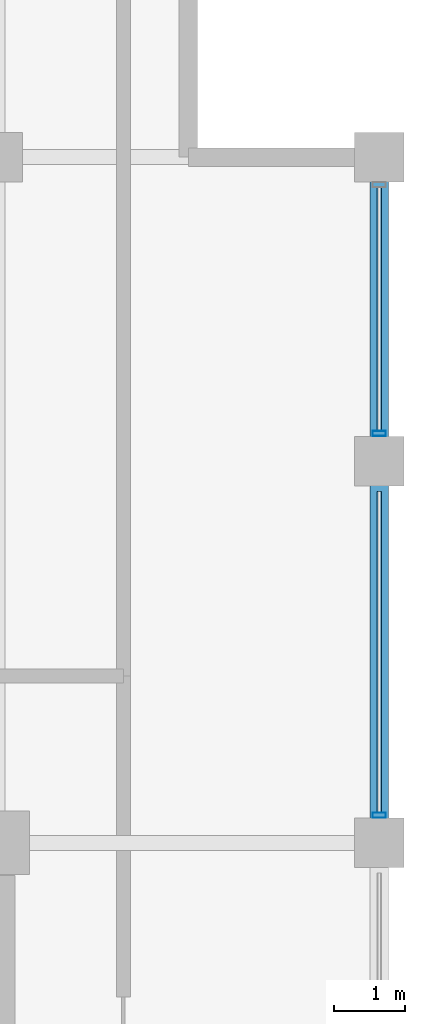
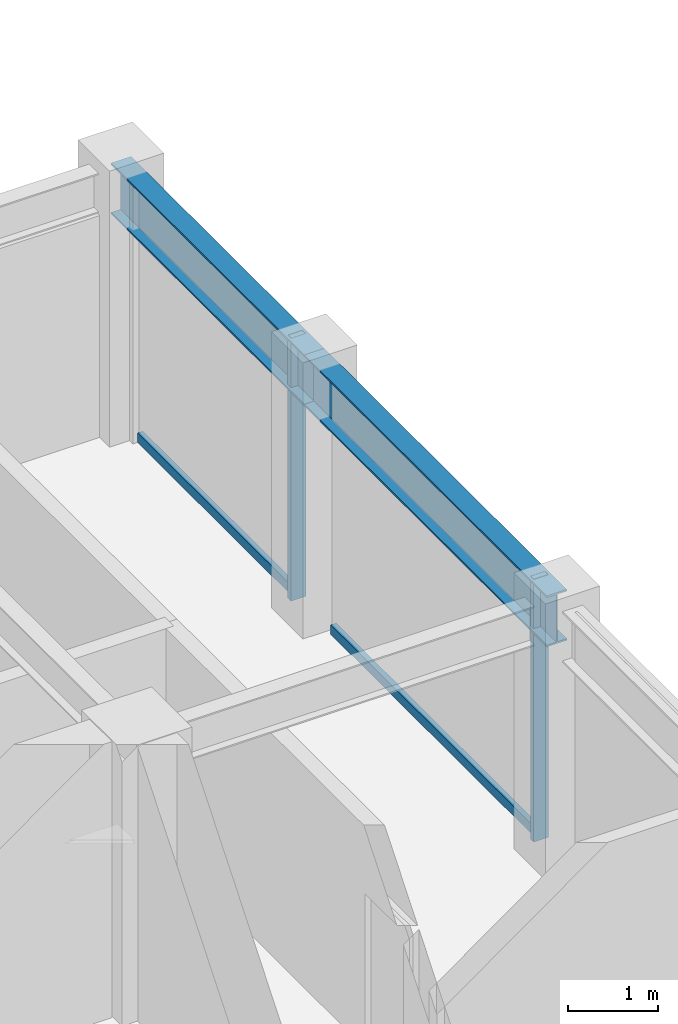
# One storey, part 21 of 30: 4 members, 2 beams, 1 element without a shape of its own.
"""IFC4 building model written with IfcOpenShell, lengths in metres."""

import ifcopenshell
import ifcopenshell.guid

model = None  # the IFC model being written
_history = None  # IfcOwnerHistory: only IFC2X3 demands one
_inside = {}  # id of a spatial element -> (the spatial element, [elements in it])
_under = {}  # id of a project, library or spatial element -> (it, [spatial elements below it])
_declared = {}  # id of a project -> (the project, [libraries it declares])
_typed = {}  # id of a type object -> (the type object, [elements of that type])
_made_of = {}  # id of a material, layer set ... -> (it, [elements and type objects made of it])


def new_model(schema):
    """Start an empty IFC model of exactly this schema.

    Asked for "IFC4X3", IfcOpenShell would pick the latest addendum, in which some entities
    have other attributes; the version numbers below select the first issue.
    IFC2X3 requires an IfcOwnerHistory on every rooted entity: one is made here for all.
    """
    global model, _history
    if schema == "IFC4X3":
        model = ifcopenshell.file(schema_version=(4, 3, 0, 0))
    else:
        model = ifcopenshell.file(schema=schema)
    _inside.clear()
    _under.clear()
    _declared.clear()
    _typed.clear()
    _made_of.clear()
    _history = None
    if model.schema == "IFC2X3":
        org = make("IfcOrganization", Name="unknown")
        user = make(
            "IfcPersonAndOrganization",
            ThePerson=make("IfcPerson", FamilyName="unknown"),
            TheOrganization=org,
        )
        app = make(
            "IfcApplication",
            ApplicationDeveloper=org,
            Version="unknown",
            ApplicationFullName="unknown",
            ApplicationIdentifier="unknown",
        )
        _history = make(
            "IfcOwnerHistory",
            OwningUser=user,
            OwningApplication=app,
            ChangeAction="ADDED",
            CreationDate=0,
        )
    return model


def make(cls, **values):
    """One entity of the class cls with the attributes given. An attribute that is None is left unset."""
    return model.create_entity(
        cls, **{name: value for name, value in values.items() if value is not None}
    )


def rooted(cls, **values):
    """An entity with a GlobalId (a new one), such as an element, a storey or a relation."""
    return make(cls, GlobalId=ifcopenshell.guid.new(), OwnerHistory=_history, **values)


def si_unit(unit_type, name, prefix=None):
    """IfcSIUnit, for example si_unit("LENGTHUNIT", "METRE", prefix="MILLI")."""
    return make("IfcSIUnit", UnitType=unit_type, Prefix=prefix, Name=name)


def assignment(units):
    """IfcUnitAssignment: the units of a project."""
    return None if units is None else make("IfcUnitAssignment", Units=units)


def point(xyz):
    """IfcCartesianPoint."""
    return None if xyz is None else make("IfcCartesianPoint", Coordinates=xyz)


def direction(xyz):
    """IfcDirection."""
    return None if xyz is None else make("IfcDirection", DirectionRatios=xyz)


def frame(location, z_axis=None, x_axis=None):
    """IfcAxis2Placement3D, a coordinate frame: its origin and axes. An axis left out is left unset."""
    return make(
        "IfcAxis2Placement3D",
        Location=point(location),
        Axis=direction(z_axis),
        RefDirection=direction(x_axis),
    )


def frame_2d(location, x_axis=None):
    """IfcAxis2Placement2D, a coordinate frame in the plane: its origin and x axis."""
    return make(
        "IfcAxis2Placement2D", Location=point(location), RefDirection=direction(x_axis)
    )


def origin():
    """The frame at (0, 0, 0) with its axes left unset."""
    return frame((0.0, 0.0, 0.0))


def origin_2d():
    """The frame at (0, 0) in the plane with its x axis left unset."""
    return frame_2d((0.0, 0.0))


def place(relative_to, where):
    """IfcLocalPlacement: puts the frame where relative to a parent placement (None: the world)."""
    return make(
        "IfcLocalPlacement", PlacementRelTo=relative_to, RelativePlacement=where
    )


def context(
    kind, dimensions, precision=None, world=None, true_north=None, identifier=None
):
    """IfcGeometricRepresentationContext, for example the 3D "Model" context."""
    return make(
        "IfcGeometricRepresentationContext",
        ContextIdentifier=identifier,
        ContextType=kind,
        CoordinateSpaceDimension=dimensions,
        Precision=precision,
        WorldCoordinateSystem=world,
        TrueNorth=true_north,
    )


def subcontext(parent, identifier, kind, view, scale=None):
    """IfcGeometricRepresentationSubContext, for example "Body" below "Model"."""
    return make(
        "IfcGeometricRepresentationSubContext",
        ContextIdentifier=identifier,
        ContextType=kind,
        ParentContext=parent,
        TargetScale=scale,
        TargetView=view,
    )


def project(units=None, contexts=None):
    """IfcProject with its units and contexts."""
    return rooted(
        "IfcProject",
        Name="project",
        RepresentationContexts=contexts,
        UnitsInContext=assignment(units),
    )


def spatial(cls, under=None, at=None, **own):
    """A site, building, storey or space (cls), placed at a placement, below another one or the project."""
    s = rooted(cls, ObjectPlacement=at, **own)
    if under is not None:
        _under.setdefault(under.id(), (under, []))[1].append(s)
    return s


def profile(cls, at=None, kind="AREA", **sizes):
    """A parametric profile (cls). Its sizes go by their IFC names, for example OverallWidth=200.0."""
    return make(cls, ProfileType=kind, Position=at, **sizes)


def hollow_rectangle(**sizes):
    """IfcRectangleHollowProfileDef."""
    return profile("IfcRectangleHollowProfileDef", **sizes)


def i_section(**sizes):
    """IfcIShapeProfileDef."""
    return profile("IfcIShapeProfileDef", **sizes)


def extrude(swept, where, along, depth):
    """IfcExtrudedAreaSolid: the profile swept, set in the frame where, extruded along a direction by depth."""
    return make(
        "IfcExtrudedAreaSolid",
        SweptArea=swept,
        Position=where,
        ExtrudedDirection=direction(along),
        Depth=depth,
    )


def shape(context_of_items, identifier, shape_type, items):
    """IfcShapeRepresentation: the items that make up one representation, for example the "Body"."""
    return make(
        "IfcShapeRepresentation",
        ContextOfItems=context_of_items,
        RepresentationIdentifier=identifier,
        RepresentationType=shape_type,
        Items=items,
    )


def material(Name=None, Category=None):
    """IfcMaterial."""
    return make("IfcMaterial", Name=Name, Category=Category)


def layer(
    of_material, thickness, ventilated=None, Name=None, Category=None, Priority=None
):
    """IfcMaterialLayer: one layer of a wall or slab, of a material (None: an air gap)."""
    return make(
        "IfcMaterialLayer",
        Material=of_material,
        LayerThickness=thickness,
        IsVentilated=ventilated,
        Name=Name,
        Category=Category,
        Priority=Priority,
    )


def layer_set(layers, Name=None):
    """IfcMaterialLayerSet."""
    return make("IfcMaterialLayerSet", MaterialLayers=layers, LayerSetName=Name)


def material_profile(
    of_material, cross_section, Name=None, Category=None, Priority=None
):
    """IfcMaterialProfile: a cross section and its material."""
    return make(
        "IfcMaterialProfile",
        Name=Name,
        Material=of_material,
        Profile=cross_section,
        Priority=Priority,
        Category=Category,
    )


def profile_set(profiles, Name=None, composite=None):
    """IfcMaterialProfileSet."""
    return make(
        "IfcMaterialProfileSet",
        Name=Name,
        MaterialProfiles=profiles,
        CompositeProfile=composite,
    )


def made_of(thing, what):
    """Note that an element or type object is made of a material, layer set ...; save() writes the relation."""
    if what is not None:
        _made_of.setdefault(what.id(), (what, []))[1].append(thing)
    return thing


def type_object(cls, material=None, **own):
    """A type object (cls), such as IfcWallType, which elements share."""
    return made_of(rooted(cls, **own), material)


def element(
    cls,
    number,
    at=None,
    inside=None,
    cuts=None,
    type_object=None,
    material=None,
    context=None,
    identifier="Body",
    shape_type=None,
    held_by="IfcProductDefinitionShape",
    body=None,
    shapes=None,
    **own,
):
    """One element of the class cls, such as IfcWall. Its Tag is "e" and its number.

    at: its placement. inside: the storey or other place that contains it. cuts: it is an
    opening in that element (IfcRelVoidsElement). A single representation is given by context,
    identifier, shape_type and body (its items); several are given by shapes. held_by: the class
    of the entity that holds the representations. save() writes the other relations.
    """
    e = rooted(cls, Tag="e%d" % number, ObjectPlacement=at, **own)
    if body is not None:
        shapes = [shape(context, identifier, shape_type, body)]
    if shapes is not None:
        e.Representation = make(held_by, Representations=shapes)
    if inside is not None:
        _inside.setdefault(inside.id(), (inside, []))[1].append(e)
    if cuts is not None:
        rooted(
            "IfcRelVoidsElement", RelatingBuildingElement=cuts, RelatedOpeningElement=e
        )
    if type_object is not None:
        _typed.setdefault(type_object.id(), (type_object, []))[1].append(e)
    return made_of(e, material)


def aggregate(whole, parts):
    """IfcRelAggregates: a whole, such as a stair, and the parts it consists of."""
    return rooted("IfcRelAggregates", RelatingObject=whole, RelatedObjects=parts)


def save(model, path):
    """Write the relations noted so far, then the file.

    IfcRelAggregates (storeys below a building ...), IfcRelContainedInSpatialStructure (elements
    in a storey), IfcRelDefinesByType, IfcRelAssociatesMaterial and IfcRelDeclares: one each for
    every whole, place, type object, material and project.
    """
    for whole, parts in _under.values():
        aggregate(whole, parts)
    for where, things in _inside.values():
        rooted(
            "IfcRelContainedInSpatialStructure",
            RelatedElements=things,
            RelatingStructure=where,
        )
    for kind, things in _typed.values():
        rooted("IfcRelDefinesByType", RelatedObjects=things, RelatingType=kind)
    for what, things in _made_of.values():
        rooted("IfcRelAssociatesMaterial", RelatedObjects=things, RelatingMaterial=what)
    for by, libraries in _declared.values():
        rooted("IfcRelDeclares", RelatingContext=by, RelatedDefinitions=libraries)
    model.write(path)


model = new_model("IFC4")

# Units and contexts
model_context = context("Model", 3, precision=1e-05, world=origin(), true_north=direction((0.0, 1.0)))
body_context = subcontext(model_context, "Body", "Model", "MODEL_VIEW")
ifc_project = project(units=[si_unit("LENGTHUNIT", "METRE"), si_unit("AREAUNIT", "SQUARE_METRE"), si_unit("VOLUMEUNIT", "CUBIC_METRE"), si_unit("PLANEANGLEUNIT", "RADIAN"), si_unit("MASSUNIT", "GRAM", prefix="KILO")], contexts=[model_context])

# Site, building, storey
site_placement = place(None, origin())
site = spatial("IfcSite", under=ifc_project, at=site_placement, CompositionType="ELEMENT")
building_placement = place(site_placement, origin())
building = spatial("IfcBuilding", under=site, at=building_placement, Name="Surkhivell Harbour Commons", CompositionType="ELEMENT")
storey_placement = place(building_placement, frame((0.0, 0.0, 292.5)))
storey = spatial("IfcBuildingStorey", under=building, at=storey_placement, Name="L76", CompositionType="ELEMENT", Elevation=292.5)

# Beams
ifc_material_1 = material(Name="Steel S355", Category="steel")
ifc_material_profile_1 = material_profile(ifc_material_1, i_section(OverallWidth=0.256103515625, OverallDepth=0.693115234375, WebThickness=0.014404296875, FlangeThickness=0.023681640625, at=origin_2d()), Name="UB686x254x170")
ifc_profile_set_1 = profile_set([ifc_material_profile_1], Name="Steel S355")
beam_type = type_object("IfcBeamType", Name="BM-SPN-686", PredefinedType="SPANDREL", material=ifc_profile_set_1)
beam_1_placement = place(storey_placement, frame((16.199951171875, 10.800048828125, 3.223388671875), z_axis=(0.0, 1.0, 0.0), x_axis=(-1.0, 0.0, 0.0)))
element("IfcBeam", 1, at=beam_1_placement, inside=storey, type_object=beam_type, Name="L76 Tube Spandrel (16.2,10.8)", PredefinedType="SPANDREL", context=body_context, shape_type="SweptSolid", body=[
    extrude(i_section(OverallWidth=0.256103515625, OverallDepth=0.693115234375, WebThickness=0.014404296875, FlangeThickness=0.023681640625, at=origin_2d()), origin(), (0.0, 0.0, 1.0), 5.39990234375),
])
beam_2_placement = place(storey_placement, frame((16.199951171875, 16.199951171875, 3.223388671875), z_axis=(0.0, 1.0, 0.0), x_axis=(-1.0, 0.0, 0.0)))
element("IfcBeam", 2, at=beam_2_placement, inside=storey, type_object=beam_type, Name="L76 Tube Spandrel (16.2,16.2)", PredefinedType="SPANDREL", context=body_context, shape_type="SweptSolid", body=[
    extrude(i_section(OverallWidth=0.256103515625, OverallDepth=0.693115234375, WebThickness=0.014404296875, FlangeThickness=0.023681640625, at=origin_2d()), origin(), (0.0, 0.0, 1.0), 4.300048828125),
])

# Curtain wall, members
ifc_material_2 = material(Name="Anodised pale-metal aluminium and insulated glazing", Category="aluminium")
ifc_layer = layer(ifc_material_2, 0.175048828125)
ifc_layer_set = layer_set([ifc_layer], Name="Anodised pale-metal aluminium and insulated glazing")
curtain_wall_type = type_object("IfcCurtainWallType", Name="CW-SYS-Z4", PredefinedType="NOTDEFINED", material=ifc_layer_set)
curtain_wall_placement = place(storey_placement, origin())
curtain_wall = element("IfcCurtainWall", 3, at=curtain_wall_placement, inside=storey, type_object=curtain_wall_type, Name="L76 Curtain Wall CW-L76-E02", PredefinedType="NOTDEFINED")
ifc_material_3 = material(Name="Anodised pale-metal aluminium alloy 6063-T6", Category="aluminium")
ifc_material_profile_2 = material_profile(ifc_material_3, hollow_rectangle(XDim=0.074951171875, YDim=0.18994140625, WallThickness=0.00390625, at=origin_2d()), Name="ALU-MULL-75x190")
ifc_profile_set_2 = profile_set([ifc_material_profile_2], Name="Anodised pale-metal aluminium alloy 6063-T6")
member_type_1 = type_object("IfcMemberType", Name="CWM-190", PredefinedType="MULLION", material=ifc_profile_set_2)
member_1_placement = place(storey_placement, frame((16.199951171875, 11.189453125, 0.0), z_axis=(0.0, 0.0, 1.0), x_axis=(0.0, 1.0, 0.0)))
member_1 = element("IfcMember", 4, at=member_1_placement, type_object=member_type_1, Name="CW-Z4 mullion 4", PredefinedType="MULLION", context=body_context, shape_type="SweptSolid", body=[
    extrude(hollow_rectangle(XDim=0.074951171875, YDim=0.18994140625, WallThickness=0.00390625, at=origin_2d()), origin(), (0.0, 0.0, 1.0), 3.570068359375),
])
member_2_placement = place(storey_placement, frame((16.199951171875, 16.589599609375, 0.0), z_axis=(0.0, 0.0, 1.0), x_axis=(0.0, 1.0, 0.0)))
member_2 = element("IfcMember", 5, at=member_2_placement, type_object=member_type_1, Name="CW-Z4 mullion 5", PredefinedType="MULLION", context=body_context, shape_type="SweptSolid", body=[
    extrude(hollow_rectangle(XDim=0.074951171875, YDim=0.18994140625, WallThickness=0.00390625, at=origin_2d()), origin(), (0.0, 0.0, 1.0), 3.570068359375),
])
ifc_material_4 = material(Name="Champagne anodised aluminium alloy 6063-T6", Category="aluminium")
ifc_material_profile_3 = material_profile(ifc_material_4, hollow_rectangle(XDim=0.070068359375, YDim=0.1298828125, WallThickness=0.00341796875, at=origin_2d()), Name="ALU-TRAN-70x130")
ifc_profile_set_3 = profile_set([ifc_material_profile_3], Name="Champagne anodised aluminium alloy 6063-T6")
member_type_2 = type_object("IfcMemberType", Name="CWT-130", PredefinedType="USERDEFINED", material=ifc_profile_set_3)
member_3_placement = place(storey_placement, frame((16.199951171875, 11.22705078125, 0.06494140625), z_axis=(0.0, 1.0, 0.0), x_axis=(-1.0, 0.0, 0.0)))
member_3 = element("IfcMember", 6, at=member_3_placement, type_object=member_type_2, Name="CW-Z4 transom 4.1", ObjectType="TRANSOM", PredefinedType="USERDEFINED", context=body_context, shape_type="SweptSolid", body=[
    extrude(hollow_rectangle(XDim=0.070068359375, YDim=0.1298828125, WallThickness=0.00341796875, at=origin_2d()), origin(), (0.0, 0.0, 1.0), 4.5458984375),
])
member_4_placement = place(storey_placement, frame((16.199951171875, 16.626953125, 0.06494140625), z_axis=(0.0, 1.0, 0.0), x_axis=(-1.0, 0.0, 0.0)))
member_4 = element("IfcMember", 7, at=member_4_placement, type_object=member_type_2, Name="CW-Z4 transom 5.1", ObjectType="TRANSOM", PredefinedType="USERDEFINED", context=body_context, shape_type="SweptSolid", body=[
    extrude(hollow_rectangle(XDim=0.070068359375, YDim=0.1298828125, WallThickness=0.00341796875, at=origin_2d()), origin(), (0.0, 0.0, 1.0), 3.446044921875),
])
aggregate(curtain_wall, [member_1, member_3, member_2, member_4])

save(model, "model.ifc")
